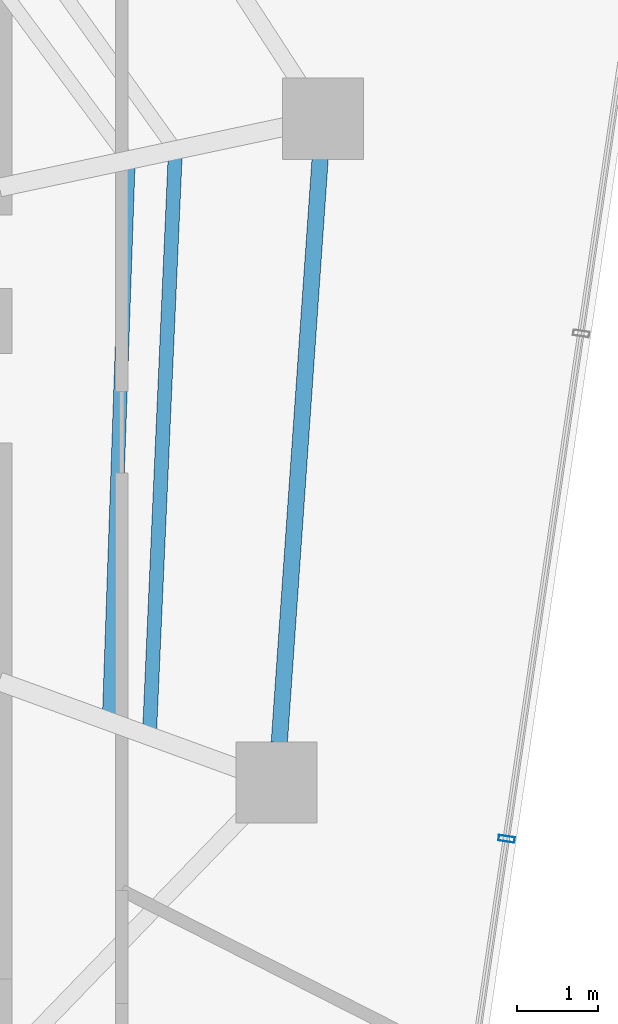
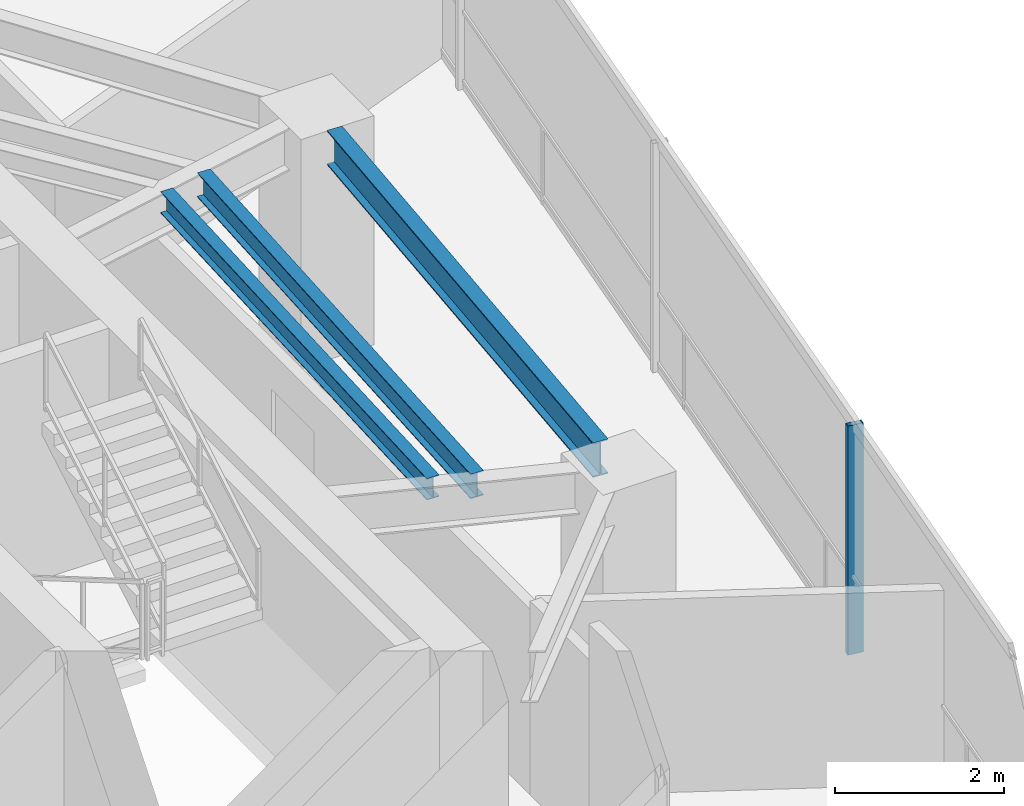
# One storey, part 8 of 20: 3 beams, 1 member, 1 element without a shape of its own.
"""IFC4 building model written with IfcOpenShell, lengths in metres."""

from ifc_helpers import new_model, si_unit, direction, frame, origin, origin_2d, place, context, subcontext, project, spatial, hollow_rectangle, i_section, extrude, material, layer, layer_set, material_profile, profile_set, type_object, element, aggregate, save


model = new_model("IFC4")

# Units and contexts
model_context = context("Model", 3, precision=1e-05, world=origin(), true_north=direction((0.0, 1.0)))
body_context = subcontext(model_context, "Body", "Model", "MODEL_VIEW")
ifc_project = project(units=[si_unit("LENGTHUNIT", "METRE"), si_unit("AREAUNIT", "SQUARE_METRE"), si_unit("VOLUMEUNIT", "CUBIC_METRE"), si_unit("PLANEANGLEUNIT", "RADIAN"), si_unit("MASSUNIT", "GRAM", prefix="KILO")], contexts=[model_context])

# Site, building, storey
site_placement = place(None, origin())
site = spatial("IfcSite", under=ifc_project, at=site_placement, CompositionType="ELEMENT")
building_placement = place(site_placement, origin())
building = spatial("IfcBuilding", under=site, at=building_placement, Name="Qarnah Convention Tower", CompositionType="ELEMENT")
storey_placement = place(building_placement, frame((0.0, 0.0, 147.300048828125)))
storey = spatial("IfcBuildingStorey", under=building, at=storey_placement, Name="L39", CompositionType="ELEMENT", Elevation=147.300048828125)

# Beams
ifc_material_1 = material(Name="Structural steel S355JR", Category="steel")
ifc_material_profile_1 = material_profile(ifc_material_1, i_section(OverallWidth=0.166015625, OverallDepth=0.31201171875, WebThickness=0.007080078125, FlangeThickness=0.010986328125, at=origin_2d()), Name="W310X45")
ifc_profile_set_1 = profile_set([ifc_material_profile_1], Name="Structural steel S355JR")
beam_type_1 = type_object("IfcBeamType", Name="BM-JST-W310", PredefinedType="JOIST", material=ifc_profile_set_1)
beam_1_placement = place(storey_placement, frame((49.095947265625, 22.162109375, 3.1640625), z_axis=(0.034644695133, 0.999399692365, 0.0), x_axis=(-0.999399692365, 0.034644695133, 0.0)))
element("IfcBeam", 1, at=beam_1_placement, inside=storey, type_object=beam_type_1, Name="L39 joist BM-L39-IJST-09", PredefinedType="JOIST", context=body_context, shape_type="SweptSolid", body=[
    extrude(i_section(OverallWidth=0.166015625, OverallDepth=0.31201171875, WebThickness=0.007080078125, FlangeThickness=0.010986328125, at=origin_2d()), origin(), (0.0, 0.0, 1.0), 6.72998046875),
])
ifc_material_profile_2 = material_profile(ifc_material_1, i_section(OverallWidth=0.172119140625, OverallDepth=0.35595703125, WebThickness=0.007080078125, FlangeThickness=0.011962890625, at=origin_2d()), Name="W360X51")
ifc_profile_set_2 = profile_set([ifc_material_profile_2], Name="Structural steel S355JR")
beam_type_2 = type_object("IfcBeamType", Name="BM-JST-W360", PredefinedType="JOIST", material=ifc_profile_set_2)
beam_2_placement = place(storey_placement, frame((49.593994140625, 21.97998046875, 3.141845703125), z_axis=(0.044332910423, 0.999016813199, 0.0), x_axis=(-0.999016813199, 0.044332910423, 0.0)))
element("IfcBeam", 2, at=beam_2_placement, inside=storey, type_object=beam_type_2, Name="L39 joist BM-L39-SJST-09", PredefinedType="JOIST", context=body_context, shape_type="SweptSolid", body=[
    extrude(i_section(OverallWidth=0.172119140625, OverallDepth=0.35595703125, WebThickness=0.007080078125, FlangeThickness=0.011962890625, at=origin_2d()), origin(), (0.0, 0.0, 1.0), 7.037841796875),
])
ifc_material_profile_3 = material_profile(ifc_material_1, i_section(OverallWidth=0.199951171875, OverallDepth=0.5, WebThickness=0.010009765625, FlangeThickness=0.01611328125, at=origin_2d()), Name="IPE500")
ifc_profile_set_3 = profile_set([ifc_material_profile_3], Name="Structural steel S355JR")
beam_type_3 = type_object("IfcBeamType", Name="BM-SPN-IPE500", PredefinedType="SPANDREL", material=ifc_profile_set_3)
beam_3_placement = place(storey_placement, frame((51.18798828125, 21.81005859375, 3.070068359375), z_axis=(0.069797433651, 0.997561185219, 0.0), x_axis=(-0.997561185219, 0.069797433651, 0.0)))
element("IfcBeam", 3, at=beam_3_placement, inside=storey, type_object=beam_type_3, Name="L39 spandrel BM-L39-SPN-09", PredefinedType="SPANDREL", context=body_context, shape_type="SweptSolid", body=[
    extrude(i_section(OverallWidth=0.199951171875, OverallDepth=0.5, WebThickness=0.010009765625, FlangeThickness=0.01611328125, at=origin_2d()), origin(), (0.0, 0.0, 1.0), 7.20556640625),
])

# Curtain wall, member
ifc_material_2 = material(Name="Tempered Low-E dark glass", Category="glass")
ifc_layer = layer(ifc_material_2, 0.172119140625)
ifc_layer_set = layer_set([ifc_layer], Name="Tempered Low-E dark glass")
curtain_wall_type = type_object("IfcCurtainWallType", Name="CWS-03", PredefinedType="NOTDEFINED", material=ifc_layer_set)
curtain_wall_placement = place(storey_placement, origin())
curtain_wall = element("IfcCurtainWall", 4, at=curtain_wall_placement, inside=storey, type_object=curtain_wall_type, Name="L39 unitised curtain wall CW-L39-F1", PredefinedType="NOTDEFINED")
ifc_material_3 = material(Name="Black anodised aluminium", Category="aluminium")
ifc_material_profile_4 = material_profile(ifc_material_3, hollow_rectangle(XDim=0.070068359375, YDim=0.199951171875, WallThickness=0.0048828125, at=origin_2d()), Name="MUL-70X200")
ifc_profile_set_4 = profile_set([ifc_material_profile_4], Name="Black anodised aluminium")
member_type = type_object("IfcMemberType", Name="MUL-T3", PredefinedType="MULLION", material=ifc_profile_set_4)
member_placement = place(storey_placement, frame((53.9853515625, 20.62646484375, 0.0), z_axis=(0.0, 0.0, 1.0), x_axis=(-0.146079316359, -0.989272881126, 0.0)))
member = element("IfcMember", 5, at=member_placement, type_object=member_type, Name="CW-L39-F1 mullion 4", PredefinedType="MULLION", context=body_context, shape_type="SweptSolid", body=[
    extrude(hollow_rectangle(XDim=0.070068359375, YDim=0.199951171875, WallThickness=0.0048828125, at=origin_2d()), origin(), (0.0, 0.0, 1.0), 3.320068359375),
])
aggregate(curtain_wall, [member])

save(model, "model.ifc")
